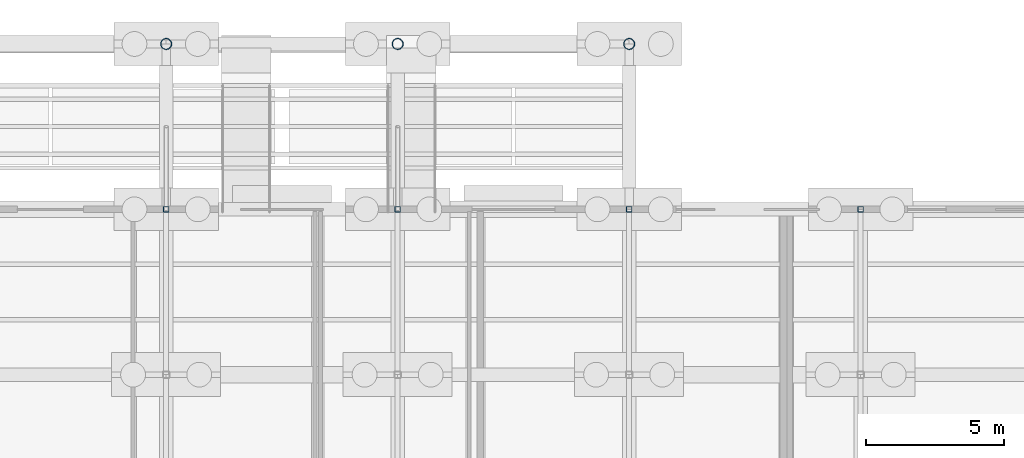
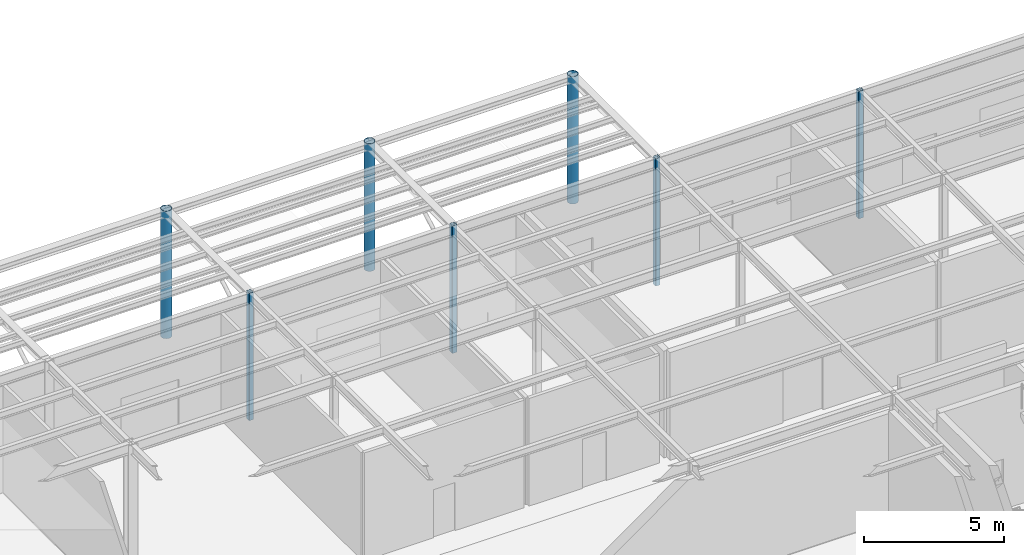
# One storey, part 29 of 129: 7 columns.
"""IFC4 building model written with IfcOpenShell, lengths in metres."""

from ifc_helpers import new_model, si_unit, direction, frame, origin, origin_2d, place, context, subcontext, project, spatial, hollow_rectangle, hollow_circle, extrude, material, material_profile, profile_set, type_object, element, save


model = new_model("IFC4")

# Units and contexts
model_context = context("Model", 3, precision=1e-05, world=origin(), true_north=direction((0.0, 1.0)))
body_context = subcontext(model_context, "Body", "Model", "MODEL_VIEW")
ifc_project = project(units=[si_unit("LENGTHUNIT", "METRE"), si_unit("AREAUNIT", "SQUARE_METRE"), si_unit("VOLUMEUNIT", "CUBIC_METRE"), si_unit("PLANEANGLEUNIT", "RADIAN"), si_unit("MASSUNIT", "GRAM", prefix="KILO")], contexts=[model_context])

# Site, building, storey
site_placement = place(None, origin())
site = spatial("IfcSite", under=ifc_project, at=site_placement, CompositionType="ELEMENT")
building_placement = place(site_placement, origin())
building = spatial("IfcBuilding", under=site, at=building_placement, Name="Sitalva Quay Ferry Terminal", CompositionType="ELEMENT")
storey_placement = place(building_placement, origin())
storey = spatial("IfcBuildingStorey", under=building, at=storey_placement, Name="L01", CompositionType="ELEMENT", Elevation=0.0)

# Columns
ifc_material_1 = material(Name="Structural Steel S355JR", Category="steel")
ifc_material_profile_1 = material_profile(ifc_material_1, hollow_circle(Radius=0.203125, WallThickness=0.01611328125, at=origin_2d()), Name="CHS406x16")
ifc_profile_set_1 = profile_set([ifc_material_profile_1], Name="Structural Steel S355JR")
column_type_1 = type_object("IfcColumnType", Name="Col_CHS406x16", PredefinedType="COLUMN", material=ifc_profile_set_1)
for number, where, z_axis, x_axis, name in (
    (1, (134.39990234375, 112.0, -0.449951171875), (0.0, 0.0, 1.0), (1.0, 0.0, 0.0), "L01 column 17N"),
    (2, (142.800048828125, 112.0, -0.449951171875), (0.0, 0.0, 1.0), (1.0, 0.0, 0.0), "L01 column 18N"),
    (3, (151.199951171875, 112.0, -0.449951171875), (0.0, 0.0, 1.0), (1.0, 0.0, 0.0), "L01 column 19N"),
):
    element("IfcColumn", number, at=place(storey_placement, frame(where, z_axis=z_axis, x_axis=x_axis)), inside=storey, type_object=column_type_1, Name=name, PredefinedType="COLUMN", context=body_context, shape_type="SweptSolid", body=[
        extrude(hollow_circle(Radius=0.203125, WallThickness=0.01611328125, at=origin_2d()), origin(), (0.0, 0.0, 1.0), 5.570068359375),
    ])
ifc_material_2 = material(Name="Structural Steel S355JR", Category="steel")
ifc_material_profile_2 = material_profile(ifc_material_2, hollow_rectangle(XDim=0.199951171875, YDim=0.199951171875, WallThickness=0.010009765625, InnerFilletRadius=0.010009765625, OuterFilletRadius=0.02001953125, at=origin_2d()), Name="SHS200x200x10")
ifc_profile_set_2 = profile_set([ifc_material_profile_2], Name="Structural Steel S355JR")
column_type_2 = type_object("IfcColumnType", Name="Col_SHS200x10", PredefinedType="COLUMN", material=ifc_profile_set_2)
for number, where, z_axis, x_axis, name in (
    (4, (134.39990234375, 106.0, -0.449951171875), (0.0, 0.0, 1.0), (1.0, 0.0, 0.0), "L01 column 17M"),
    (5, (142.800048828125, 106.0, -0.449951171875), (0.0, 0.0, 1.0), (1.0, 0.0, 0.0), "L01 column 18M"),
    (6, (151.199951171875, 106.0, -0.449951171875), (0.0, 0.0, 1.0), (1.0, 0.0, 0.0), "L01 column 19M"),
    (7, (159.60009765625, 106.0, -0.449951171875), (0.0, 0.0, 1.0), (1.0, 0.0, 0.0), "L01 column 20M"),
):
    element("IfcColumn", number, at=place(storey_placement, frame(where, z_axis=z_axis, x_axis=x_axis)), inside=storey, type_object=column_type_2, Name=name, PredefinedType="COLUMN", context=body_context, shape_type="SweptSolid", body=[
        extrude(hollow_rectangle(XDim=0.199951171875, YDim=0.199951171875, WallThickness=0.010009765625, InnerFilletRadius=0.010009765625, OuterFilletRadius=0.02001953125, at=origin_2d()), origin(), (0.0, 0.0, 1.0), 5.570068359375),
    ])

save(model, "model.ifc")
